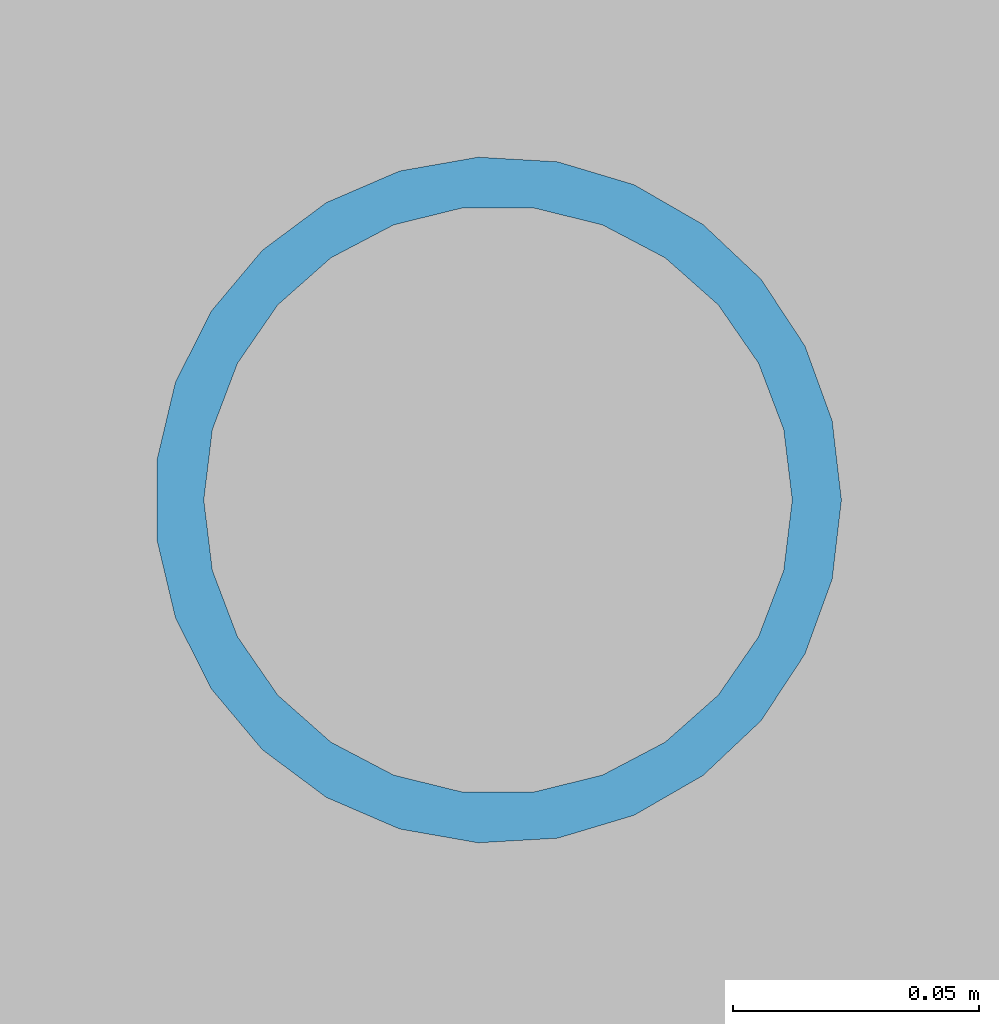
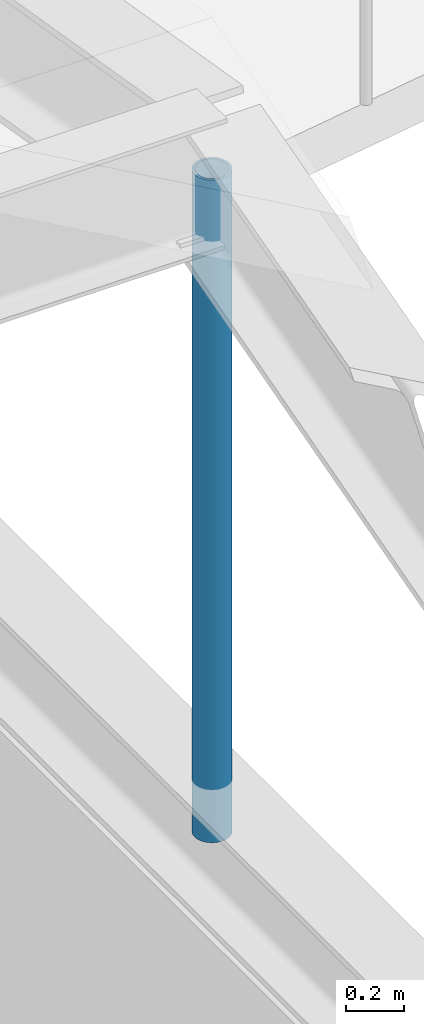
# One storey, part 25 of 108: 1 member.
"""IFC4 building model written with IfcOpenShell, lengths in metres."""

from ifc_helpers import new_model, si_unit, direction, frame, origin, origin_2d, place, context, subcontext, project, spatial, hollow_circle, extrude, material, material_profile, profile_set, type_object, element, save


model = new_model("IFC4")

# Units and contexts
model_context = context("Model", 3, precision=1e-05, world=origin(), true_north=direction((0.0, 1.0)))
body_context = subcontext(model_context, "Body", "Model", "MODEL_VIEW")
ifc_project = project(units=[si_unit("LENGTHUNIT", "METRE"), si_unit("AREAUNIT", "SQUARE_METRE"), si_unit("VOLUMEUNIT", "CUBIC_METRE"), si_unit("PLANEANGLEUNIT", "RADIAN"), si_unit("MASSUNIT", "GRAM", prefix="KILO")], contexts=[model_context])

# Site, building, storey
site_placement = place(None, origin())
site = spatial("IfcSite", under=ifc_project, at=site_placement, CompositionType="ELEMENT")
building_placement = place(site_placement, origin())
building = spatial("IfcBuilding", under=site, at=building_placement, Name="Tarnveldt Headland Concert Hall", CompositionType="ELEMENT")
storey_placement = place(building_placement, frame((0.0, 0.0, 9.60009765625)))
storey = spatial("IfcBuildingStorey", under=building, at=storey_placement, Name="L02", CompositionType="ELEMENT", Elevation=9.60009765625)

# Member
ifc_material = material(Name="Steel S355", Category="steel")
ifc_material_profile = material_profile(ifc_material, hollow_circle(Radius=0.06982421875, WallThickness=0.010009765625, at=origin_2d()), Name="CHS 139.7x10", Category="steel")
ifc_profile_set = profile_set([ifc_material_profile], Name="Steel S355")
member_type = type_object("IfcMemberType", Name="TR-WEB140", PredefinedType="BRACE", material=ifc_profile_set)
member_placement = place(storey_placement, frame((44.5, 21.5, 4.159912109375), z_axis=(0.0, 0.0, 1.0), x_axis=(1.0, 0.0, 0.0)))
element("IfcMember", 1, at=member_placement, inside=storey, type_object=member_type, Name="KP-01 Roof truss kingpost strut 44", PredefinedType="BRACE", context=body_context, shape_type="SweptSolid", body=[
    extrude(hollow_circle(Radius=0.06982421875, WallThickness=0.010009765625, at=origin_2d()), origin(), (0.0, 0.0, 1.0), 2.800048828125),
])

save(model, "model.ifc")
